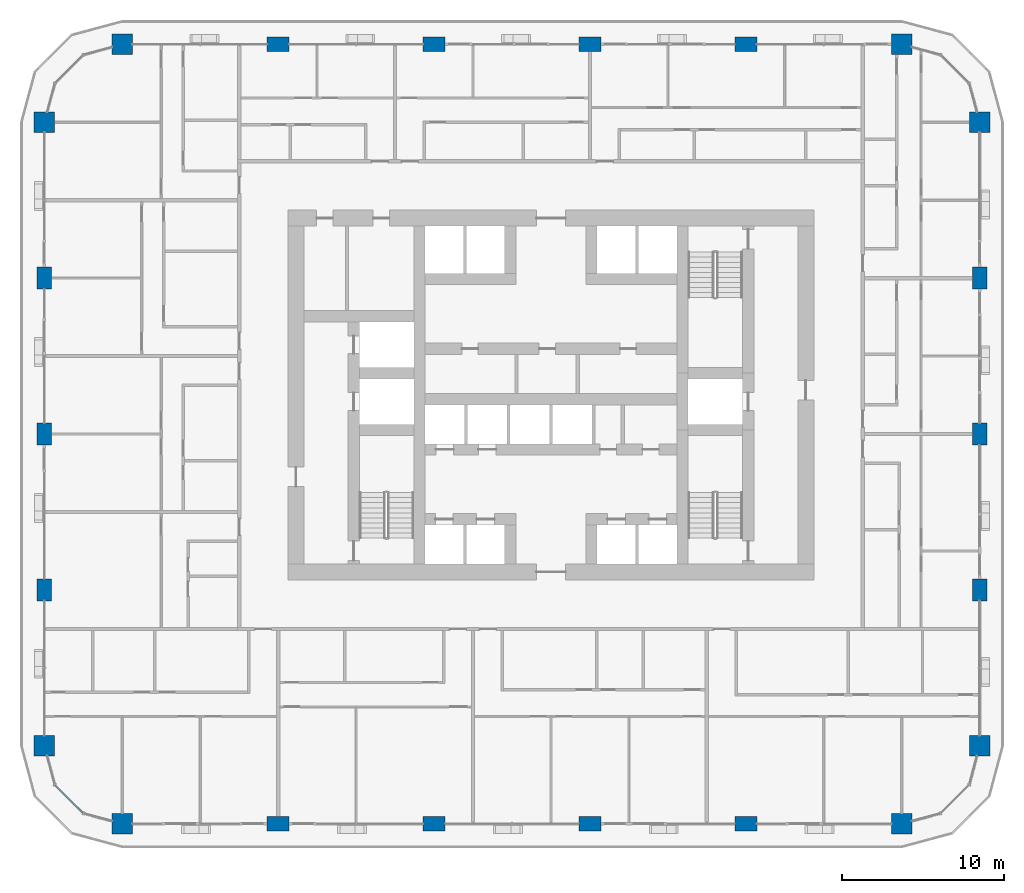
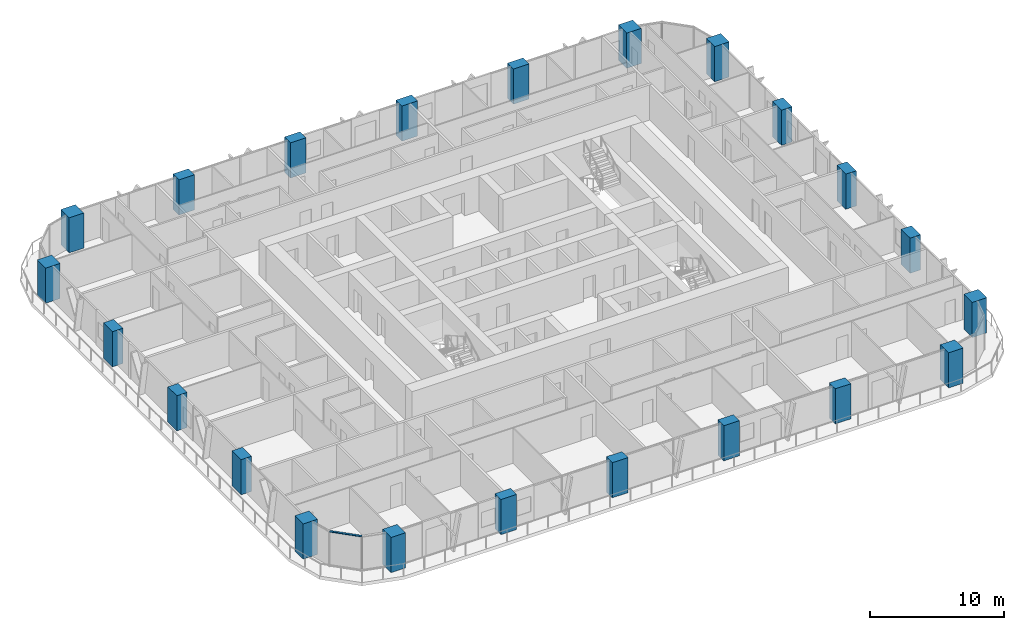
# One storey, part 1 of 21: 22 columns, 1 member, 1 element without a shape of its own.
"""IFC4 building model written with IfcOpenShell, lengths in metres."""

from ifc_helpers import new_model, si_unit, direction, frame, origin, origin_2d, place, context, subcontext, project, spatial, rectangle, extrude, material, layer, layer_set, material_profile, profile_set, type_object, element, aggregate, save


model = new_model("IFC4")

# Units and contexts
model_context = context("Model", 3, precision=1e-05, world=origin(), true_north=direction((0.0, 1.0)))
body_context = subcontext(model_context, "Body", "Model", "MODEL_VIEW")
ifc_project = project(units=[si_unit("LENGTHUNIT", "METRE"), si_unit("AREAUNIT", "SQUARE_METRE"), si_unit("VOLUMEUNIT", "CUBIC_METRE"), si_unit("PLANEANGLEUNIT", "RADIAN"), si_unit("MASSUNIT", "GRAM", prefix="KILO")], contexts=[model_context])

# Site, building, storey
site_placement = place(None, origin())
site = spatial("IfcSite", under=ifc_project, at=site_placement, CompositionType="ELEMENT")
building_placement = place(site_placement, origin())
building = spatial("IfcBuilding", under=site, at=building_placement, Name="Madar Terraces", CompositionType="ELEMENT")
storey_placement = place(building_placement, frame((0.0, 0.0, 43.39990234375)))
storey = spatial("IfcBuildingStorey", under=building, at=storey_placement, Name="L10", CompositionType="ELEMENT", Elevation=43.39990234375)

# Columns
ifc_material_1 = material(Name="Concrete C80/95", Category="concrete")
ifc_material_profile_1 = material_profile(ifc_material_1, rectangle(XDim=1.35009765625, YDim=0.89990234375, at=origin_2d()), Name="CC1 RC 1350x900")
ifc_profile_set_1 = profile_set([ifc_material_profile_1], Name="Concrete C80/95")
column_type_1 = type_object("IfcColumnType", Name="CC1 RC 1350x900", PredefinedType="COLUMN", material=ifc_profile_set_1)
for number, where, z_axis, x_axis, name in (
    (1, (14.39990234375, 0.0, 0.0), (0.0, 0.0, 1.0), (1.0, 0.0, 0.0), "Perimeter column S2"),
    (2, (24.0, 0.0, 0.0), (0.0, 0.0, 1.0), (1.0, 0.0, 0.0), "Perimeter column S3"),
    (3, (33.60009765625, 0.0, 0.0), (0.0, 0.0, 1.0), (1.0, 0.0, 0.0), "Perimeter column S4"),
    (4, (43.199951171875, 0.0, 0.0), (0.0, 0.0, 1.0), (1.0, 0.0, 0.0), "Perimeter column S5"),
    (5, (57.60009765625, 14.39990234375, 0.0), (0.0, 0.0, 1.0), (0.0, 1.0, 0.0), "Perimeter column E2"),
    (6, (57.60009765625, 24.0, 0.0), (0.0, 0.0, 1.0), (0.0, 1.0, 0.0), "Perimeter column E3"),
    (7, (57.60009765625, 33.60009765625, 0.0), (0.0, 0.0, 1.0), (0.0, 1.0, 0.0), "Perimeter column E4"),
    (8, (43.199951171875, 48.0, 0.0), (0.0, 0.0, 1.0), (1.0, 0.0, 0.0), "Perimeter column N2"),
    (9, (33.60009765625, 48.0, 0.0), (0.0, 0.0, 1.0), (1.0, 0.0, 0.0), "Perimeter column N3"),
    (10, (24.0, 48.0, 0.0), (0.0, 0.0, 1.0), (1.0, 0.0, 0.0), "Perimeter column N4"),
    (11, (14.39990234375, 48.0, 0.0), (0.0, 0.0, 1.0), (1.0, 0.0, 0.0), "Perimeter column N5"),
    (12, (0.0, 33.60009765625, 0.0), (0.0, 0.0, 1.0), (0.0, 1.0, 0.0), "Perimeter column W2"),
    (13, (0.0, 24.0, 0.0), (0.0, 0.0, 1.0), (0.0, 1.0, 0.0), "Perimeter column W3"),
    (14, (0.0, 14.39990234375, 0.0), (0.0, 0.0, 1.0), (0.0, 1.0, 0.0), "Perimeter column W4"),
):
    element("IfcColumn", number, at=place(storey_placement, frame(where, z_axis=z_axis, x_axis=x_axis)), inside=storey, type_object=column_type_1, Name=name, PredefinedType="COLUMN", context=body_context, shape_type="SweptSolid", body=[
        extrude(rectangle(XDim=1.35009765625, YDim=0.89990234375, at=origin_2d()), origin(), (0.0, 0.0, 1.0), 3.2001953125),
    ])
ifc_material_2 = material(Name="Concrete C80/95", Category="concrete")
ifc_material_profile_2 = material_profile(ifc_material_2, rectangle(XDim=1.25, YDim=1.25, at=origin_2d()), Name="KC1 RC 1250x1250")
ifc_profile_set_2 = profile_set([ifc_material_profile_2], Name="Concrete C80/95")
column_type_2 = type_object("IfcColumnType", Name="KC1 RC 1250x1250", PredefinedType="COLUMN", material=ifc_profile_set_2)
for number, where, z_axis, x_axis, name in (
    (15, (4.800048828125, 0.0, 0.0), (0.0, 0.0, 1.0), (1.0, 0.0, 0.0), "Perimeter column S1"),
    (16, (52.800048828125, 0.0, 0.0), (0.0, 0.0, 1.0), (1.0, 0.0, 0.0), "Perimeter column S6"),
    (17, (57.60009765625, 4.800048828125, 0.0), (0.0, 0.0, 1.0), (1.0, 0.0, 0.0), "Perimeter column E1"),
    (18, (57.60009765625, 43.199951171875, 0.0), (0.0, 0.0, 1.0), (1.0, 0.0, 0.0), "Perimeter column E5"),
    (19, (52.800048828125, 48.0, 0.0), (0.0, 0.0, 1.0), (1.0, 0.0, 0.0), "Perimeter column N1"),
    (20, (4.800048828125, 48.0, 0.0), (0.0, 0.0, 1.0), (1.0, 0.0, 0.0), "Perimeter column N6"),
    (21, (0.0, 43.199951171875, 0.0), (0.0, 0.0, 1.0), (1.0, 0.0, 0.0), "Perimeter column W1"),
    (22, (0.0, 4.800048828125, 0.0), (0.0, 0.0, 1.0), (1.0, 0.0, 0.0), "Perimeter column W5"),
):
    element("IfcColumn", number, at=place(storey_placement, frame(where, z_axis=z_axis, x_axis=x_axis)), inside=storey, type_object=column_type_2, Name=name, PredefinedType="COLUMN", context=body_context, shape_type="SweptSolid", body=[
        extrude(rectangle(XDim=1.25, YDim=1.25, at=origin_2d()), origin(), (0.0, 0.0, 1.0), 3.2001953125),
    ])

# Curtain wall, member
ifc_material_3 = material(Name="Glass, ceramic frit dark grey, with black aluminium frame", Category="aluminium")
ifc_layer = layer(ifc_material_3, 0.199951171875)
ifc_layer_set = layer_set([ifc_layer], Name="Facade curtain wall, fritted glass")
curtain_wall_type = type_object("IfcCurtainWallType", Name="Facade curtain wall, fritted glass", PredefinedType="NOTDEFINED", material=ifc_layer_set)
curtain_wall_placement = place(storey_placement, origin())
curtain_wall = element("IfcCurtainWall", 23, at=curtain_wall_placement, inside=storey, type_object=curtain_wall_type, Name="Outer skin curtain wall south-west corner", PredefinedType="NOTDEFINED")
ifc_material_4 = material(Name="Aluminium, black anodised", Category="aluminium")
ifc_material_profile_3 = material_profile(ifc_material_4, rectangle(XDim=0.1201171875, YDim=0.06005859375, at=origin_2d()), Name="Facade transom 60x120")
ifc_profile_set_3 = profile_set([ifc_material_profile_3], Name="Aluminium, black anodised")
member_type = type_object("IfcMemberType", Name="Facade transom 60x120", PredefinedType="USERDEFINED", material=ifc_profile_set_3)
member_placement = place(storey_placement, frame((0.664306640625, 2.37890625, 3.170166015625), z_axis=(0.707106781187, -0.707106781187, 0.0), x_axis=(0.707106781187, 0.707106781187, 0.0)))
member = element("IfcMember", 24, at=member_placement, type_object=member_type, Name="Transom 2", ObjectType="TRANSOM", PredefinedType="USERDEFINED", context=body_context, shape_type="SweptSolid", body=[
    extrude(rectangle(XDim=0.1201171875, YDim=0.06005859375, at=origin_2d()), origin(), (0.0, 0.0, 1.0), 2.4248046875),
])
aggregate(curtain_wall, [member])

save(model, "model.ifc")
